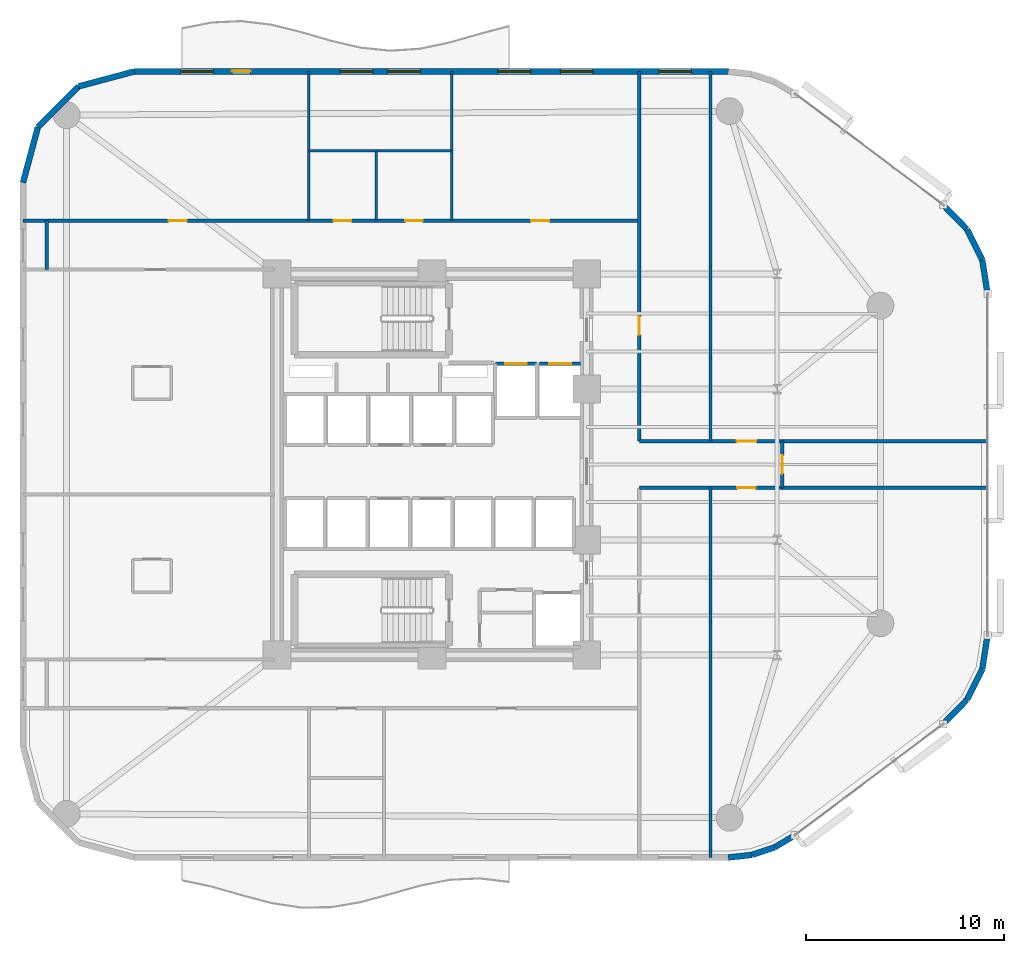
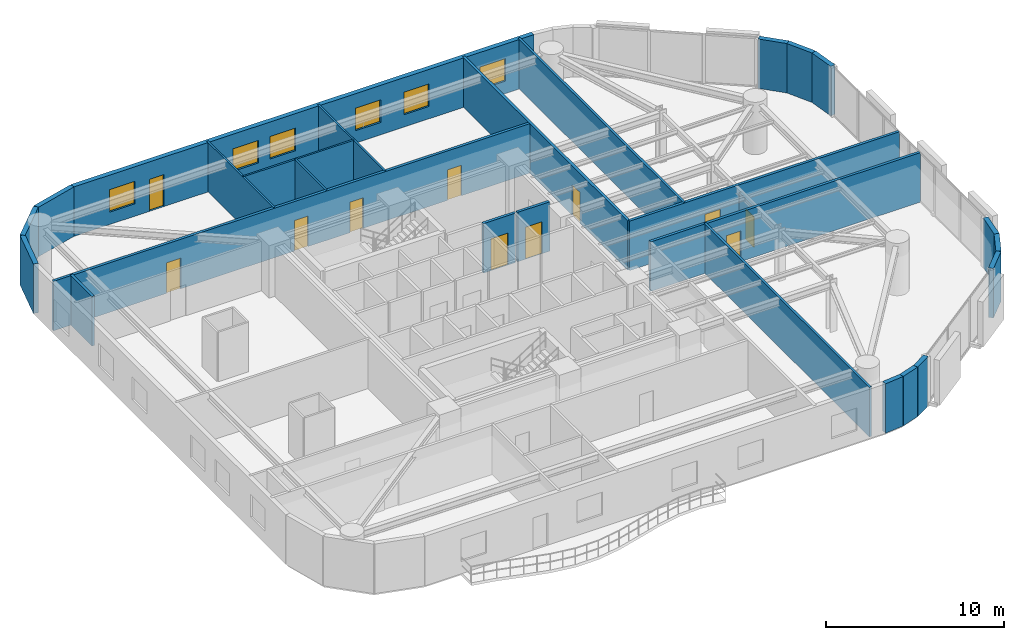
# One storey, part 12 of 15: 27 walls, 11 doors, 6 windows, 17 openings.
"""IFC4 building model written with IfcOpenShell, lengths in metres."""

from ifc_helpers import new_model, si_unit, direction, frame, frame_2d, origin, place, context, subcontext, project, spatial, rectangle, extrude, material, layer, layer_set, type_object, element, fill, save


model = new_model("IFC4")

# Units and contexts
model_context = context("Model", 3, precision=1e-05, world=origin(), true_north=direction((0.0, 1.0)))
body_context = subcontext(model_context, "Body", "Model", "MODEL_VIEW")
ifc_project = project(units=[si_unit("LENGTHUNIT", "METRE"), si_unit("AREAUNIT", "SQUARE_METRE"), si_unit("VOLUMEUNIT", "CUBIC_METRE"), si_unit("PLANEANGLEUNIT", "RADIAN"), si_unit("MASSUNIT", "GRAM", prefix="KILO")], contexts=[model_context])

# Site, building, storey
site_placement = place(None, origin())
site = spatial("IfcSite", under=ifc_project, at=site_placement, CompositionType="ELEMENT")
building_placement = place(site_placement, origin())
building = spatial("IfcBuilding", under=site, at=building_placement, Name="An Khanh Terracotta Commons", CompositionType="ELEMENT")
storey_placement = place(building_placement, frame((0.0, 0.0, 86.300048828125)))
storey = spatial("IfcBuildingStorey", under=building, at=storey_placement, Name="L22", CompositionType="ELEMENT", Elevation=86.300048828125)

# Wall, opening, door
ifc_material_1 = material(Name="Fire-Rated Gypsum Board on Steel Stud", Category="steel")
ifc_layer_1 = layer(ifc_material_1, 0.179931640625, Name="Fire-Rated Gypsum Board on Steel Stud")
ifc_layer_set_1 = layer_set([ifc_layer_1], Name="Fire-Rated Gypsum Board on Steel Stud")
wall_type_1 = type_object("IfcWallType", Name="WALL-CORR-180", PredefinedType="PARTITIONING", material=ifc_layer_set_1)
wall_1_placement = place(storey_placement, frame((32.60009765625, 29.080078125, 0.0), z_axis=(0.0, 0.0, 1.0), x_axis=(1.0, 0.0, 0.0)))
wall_1 = element("IfcWall", 1, at=wall_1_placement, inside=storey, type_object=wall_type_1, Name="L22 Core Wall LSH-L22-FFL-01-N", PredefinedType="PARTITIONING", context=body_context, shape_type="SweptSolid", body=[
    extrude(rectangle(XDim=2.079833984375, YDim=0.179931640625, at=frame_2d((1.0400390625, 0.0))), origin(), (0.0, 0.0, 1.0), 3.39990234375),
])
opening_1_placement = place(wall_1_placement, frame((0.489990234375, 0.0, 0.0)))
opening_1 = element("IfcOpeningElement", 2, at=opening_1_placement, cuts=wall_1, Name="Opening LD-FFL-01-L22", PredefinedType="OPENING", context=body_context, shape_type="SweptSolid", body=[
    extrude(rectangle(XDim=1.10009765625, YDim=2.199951171875, at=frame_2d((0.550048828125, 1.10009765625))), frame((0.0, 0.099853515625, 0.0), z_axis=(0.0, -1.0, 0.0), x_axis=(1.0, 0.0, 0.0)), (0.0, 0.0, 1.0), 0.199951171875),
])
ifc_material_2 = material(Name="Brushed Stainless Steel Fire Landing Door", Category="steel")
door_type_1 = type_object("IfcDoorType", Name="DOOR-LD-FFL-1100", OperationType="NOTDEFINED", PredefinedType="DOOR", material=ifc_material_2)
door_1_placement = place(opening_1_placement, origin())
door_1 = element("IfcDoor", 3, at=door_1_placement, inside=storey, type_object=door_type_1, Name="L22 Lift FFL-01 Sliding Landing Door", OperationType="DOUBLE_DOOR_SLIDING", OverallHeight=2.199951171875, OverallWidth=1.10009765625, PredefinedType="DOOR", context=body_context, shape_type="SweptSolid", body=[
    extrude(rectangle(XDim=1.10009765625, YDim=2.199951171875, at=frame_2d((0.550048828125, 1.10009765625))), frame((0.0, 0.02490234375, 0.0), z_axis=(0.0, -1.0, 0.0), x_axis=(1.0, 0.0, 0.0)), (0.0, 0.0, 1.0), 0.050048828125),
])
fill(opening_1, door_1)

wall_2_placement = place(storey_placement, frame((34.820068359375, 29.080078125, 0.0), z_axis=(0.0, 0.0, 1.0), x_axis=(1.0, 0.0, 0.0)))
wall_2 = element("IfcWall", 4, at=wall_2_placement, inside=storey, type_object=wall_type_1, Name="L22 Core Wall LSH-L22-FFL-02-N", PredefinedType="PARTITIONING", context=body_context, shape_type="SweptSolid", body=[
    extrude(rectangle(XDim=2.079833984375, YDim=0.179931640625, at=frame_2d((1.0400390625, 0.0))), origin(), (0.0, 0.0, 1.0), 3.39990234375),
])
opening_2_placement = place(wall_2_placement, frame((0.489990234375, 0.0, 0.0)))
opening_2 = element("IfcOpeningElement", 5, at=opening_2_placement, cuts=wall_2, Name="Opening LD-FFL-02-L22", PredefinedType="OPENING", context=body_context, shape_type="SweptSolid", body=[
    extrude(rectangle(XDim=1.10009765625, YDim=2.199951171875, at=frame_2d((0.550048828125, 1.10009765625))), frame((0.0, 0.099853515625, 0.0), z_axis=(0.0, -1.0, 0.0), x_axis=(1.0, 0.0, 0.0)), (0.0, 0.0, 1.0), 0.199951171875),
])
door_2_placement = place(opening_2_placement, origin())
door_2 = element("IfcDoor", 6, at=door_2_placement, inside=storey, type_object=door_type_1, Name="L22 Lift FFL-02 Sliding Landing Door", OperationType="DOUBLE_DOOR_SLIDING", OverallHeight=2.199951171875, OverallWidth=1.10009765625, PredefinedType="DOOR", context=body_context, shape_type="SweptSolid", body=[
    extrude(rectangle(XDim=1.10009765625, YDim=2.199951171875, at=frame_2d((0.550048828125, 1.10009765625))), frame((0.0, 0.02490234375, 0.0), z_axis=(0.0, -1.0, 0.0), x_axis=(1.0, 0.0, 0.0)), (0.0, 0.0, 1.0), 0.050048828125),
])
fill(opening_2, door_2)

wall_3_placement = place(storey_placement, frame((39.85009765625, 22.820068359375, 0.0), z_axis=(0.0, 0.0, 1.0), x_axis=(1.0, 0.0, 0.0)))
wall_3 = element("IfcWall", 7, at=wall_3_placement, inside=storey, type_object=wall_type_1, Name="L22 Interior Partition IW-L22-E005", PredefinedType="PARTITIONING", context=body_context, shape_type="SweptSolid", body=[
    extrude(rectangle(XDim=17.5498046875, YDim=0.179931640625, at=frame_2d((8.77490234375, 0.0))), origin(), (0.0, 0.0, 1.0), 3.39990234375),
])
opening_3_placement = place(wall_3_placement, frame((4.93994140625, 0.0, 0.0)))
opening_3 = element("IfcOpeningElement", 8, at=opening_3_placement, cuts=wall_3, Name="Opening D-RM", PredefinedType="OPENING", context=body_context, shape_type="SweptSolid", body=[
    extrude(rectangle(XDim=0.919921875, YDim=2.10009765625, at=frame_2d((0.4599609375, 1.050048828125))), frame((0.0, 0.099853515625, 0.0), z_axis=(0.0, -1.0, 0.0), x_axis=(1.0, 0.0, 0.0)), (0.0, 0.0, 1.0), 0.199951171875),
])
ifc_material_3 = material(Name="Engineered Hardwood Timber Leaf", Category="wood")
door_type_2 = type_object("IfcDoorType", Name="DOOR-INT-920", OperationType="NOTDEFINED", PredefinedType="DOOR", material=ifc_material_3)
door_3_placement = place(opening_3_placement, origin())
door_3 = element("IfcDoor", 9, at=door_3_placement, inside=storey, type_object=door_type_2, Name="L22 T5SE Riverfront Reading Hall Door", OperationType="SINGLE_SWING_RIGHT", OverallHeight=2.10009765625, OverallWidth=0.919921875, PredefinedType="DOOR", context=body_context, shape_type="SweptSolid", body=[
    extrude(rectangle(XDim=0.919921875, YDim=2.10009765625, at=frame_2d((0.4599609375, 1.050048828125))), frame((0.0, 0.02490234375, 0.0), z_axis=(0.0, -1.0, 0.0), x_axis=(1.0, 0.0, 0.0)), (0.0, 0.0, 1.0), 0.050048828125),
])
fill(opening_3, door_3)

wall_4_placement = place(storey_placement, frame((39.85009765625, 25.179931640625, 0.0), z_axis=(0.0, 0.0, 1.0), x_axis=(1.0, 0.0, 0.0)))
wall_4 = element("IfcWall", 10, at=wall_4_placement, inside=storey, type_object=wall_type_1, Name="L22 Interior Partition IW-L22-E006", PredefinedType="PARTITIONING", context=body_context, shape_type="SweptSolid", body=[
    extrude(rectangle(XDim=17.5498046875, YDim=0.179931640625, at=frame_2d((8.77490234375, 0.0))), origin(), (0.0, 0.0, 1.0), 3.39990234375),
])
opening_4_placement = place(wall_4_placement, frame((4.89990234375, 0.0, 0.0)))
opening_4 = element("IfcOpeningElement", 11, at=opening_4_placement, cuts=wall_4, Name="Opening D-UN", PredefinedType="OPENING", context=body_context, shape_type="SweptSolid", body=[
    extrude(rectangle(XDim=1.0, YDim=2.14990234375, at=frame_2d((0.5, 1.074951171875))), frame((0.0, 0.099853515625, 0.0), z_axis=(0.0, -1.0, 0.0), x_axis=(1.0, 0.0, 0.0)), (0.0, 0.0, 1.0), 0.199951171875),
])
ifc_material_4 = material(Name="Solid-Core Hardwood Acoustic Fire Door", Category="wood")
door_type_3 = type_object("IfcDoorType", Name="DOOR-UNIT-1000", OperationType="NOTDEFINED", PredefinedType="DOOR", material=ifc_material_4)
door_4_placement = place(opening_4_placement, origin())
door_4 = element("IfcDoor", 12, at=door_4_placement, inside=storey, type_object=door_type_3, Name="L22 T5NE Yoga Studio Door", OperationType="SINGLE_SWING_RIGHT", OverallHeight=2.14990234375, OverallWidth=1.0, PredefinedType="DOOR", context=body_context, shape_type="SweptSolid", body=[
    extrude(rectangle(XDim=1.0, YDim=2.14990234375, at=frame_2d((0.5, 1.074951171875))), frame((0.0, 0.02490234375, 0.0), z_axis=(0.0, -1.0, 0.0), x_axis=(1.0, 0.0, 0.0)), (0.0, 0.0, 1.0), 0.050048828125),
])
fill(opening_4, door_4)

# Wall, openings, doors
wall_5_placement = place(storey_placement, frame((8.800048828125, 36.280029296875, 0.0), z_axis=(0.0, 0.0, 1.0), x_axis=(1.0, 0.0, 0.0)))
wall_5 = element("IfcWall", 13, at=wall_5_placement, inside=storey, type_object=wall_type_1, Name="L22 Interior Partition IW-L22-E008", PredefinedType="PARTITIONING", context=body_context, shape_type="SweptSolid", body=[
    extrude(rectangle(XDim=31.050048828125, YDim=0.179931640625, at=frame_2d((15.52490234375, 0.0))), origin(), (0.0, 0.0, 1.0), 3.39990234375),
])
opening_5_placement = place(wall_5_placement, frame((15.64990234375, 0.0, 0.0)))
opening_5 = element("IfcOpeningElement", 14, at=opening_5_placement, cuts=wall_5, Name="Opening D-WC", PredefinedType="OPENING", context=body_context, shape_type="SweptSolid", body=[
    extrude(rectangle(XDim=0.89990234375, YDim=2.10009765625, at=frame_2d((0.449951171875, 1.050048828125))), frame((0.0, 0.099853515625, 0.0), z_axis=(0.0, -1.0, 0.0), x_axis=(1.0, 0.0, 0.0)), (0.0, 0.0, 1.0), 0.199951171875),
])
opening_6_placement = place(wall_5_placement, frame((19.27001953125, 0.0, 0.0)))
opening_6 = element("IfcOpeningElement", 15, at=opening_6_placement, cuts=wall_5, Name="Opening D-ENS", PredefinedType="OPENING", context=body_context, shape_type="SweptSolid", body=[
    extrude(rectangle(XDim=0.860107421875, YDim=2.10009765625, at=frame_2d((0.43017578125, 1.050048828125))), frame((0.0, 0.099853515625, 0.0), z_axis=(0.0, -1.0, 0.0), x_axis=(1.0, 0.0, 0.0)), (0.0, 0.0, 1.0), 0.199951171875),
])
opening_7_placement = place(wall_5_placement, frame((7.340087890625, 0.0, 0.0)))
opening_7 = element("IfcOpeningElement", 16, at=opening_7_placement, cuts=wall_5, Name="Opening D-RM", PredefinedType="OPENING", context=body_context, shape_type="SweptSolid", body=[
    extrude(rectangle(XDim=0.919921875, YDim=2.10009765625, at=frame_2d((0.4599609375, 1.050048828125))), frame((0.0, 0.099853515625, 0.0), z_axis=(0.0, -1.0, 0.0), x_axis=(1.0, 0.0, 0.0)), (0.0, 0.0, 1.0), 0.199951171875),
])
opening_8_placement = place(wall_5_placement, frame((25.60498046875, 0.0, 0.0)))
opening_8 = element("IfcOpeningElement", 17, at=opening_8_placement, cuts=wall_5, Name="Opening D-RM", PredefinedType="OPENING", context=body_context, shape_type="SweptSolid", body=[
    extrude(rectangle(XDim=0.919921875, YDim=2.10009765625, at=frame_2d((0.4599609375, 1.050048828125))), frame((0.0, 0.099853515625, 0.0), z_axis=(0.0, -1.0, 0.0), x_axis=(1.0, 0.0, 0.0)), (0.0, 0.0, 1.0), 0.199951171875),
])
ifc_material_5 = material(Name="Moisture-Resistant Hardwood Timber Leaf", Category="wood")
door_type_4 = type_object("IfcDoorType", Name="DOOR-BATH-860", OperationType="NOTDEFINED", PredefinedType="DOOR", material=ifc_material_5)
door_5_placement = place(opening_6_placement, origin())
door_5 = element("IfcDoor", 18, at=door_5_placement, inside=storey, type_object=door_type_4, Name="L22 SHW Resident Shared Shower and Washroom Door", OperationType="SINGLE_SWING_RIGHT", OverallHeight=2.10009765625, OverallWidth=0.860107421875, PredefinedType="DOOR", context=body_context, shape_type="SweptSolid", body=[
    extrude(rectangle(XDim=0.860107421875, YDim=2.10009765625, at=frame_2d((0.43017578125, 1.050048828125))), frame((0.0, 0.02490234375, 0.0), z_axis=(0.0, -1.0, 0.0), x_axis=(1.0, 0.0, 0.0)), (0.0, 0.0, 1.0), 0.050048828125),
])
fill(opening_6, door_5)
door_6_placement = place(opening_7_placement, origin())
door_6 = element("IfcDoor", 19, at=door_6_placement, inside=storey, type_object=door_type_2, Name="L22 NW1 Communal Kitchen and Dining Door", OperationType="SINGLE_SWING_LEFT", OverallHeight=2.10009765625, OverallWidth=0.919921875, PredefinedType="DOOR", context=body_context, shape_type="SweptSolid", body=[
    extrude(rectangle(XDim=0.919921875, YDim=2.10009765625, at=frame_2d((0.4599609375, 1.050048828125))), frame((0.0, 0.02490234375, 0.0), z_axis=(0.0, -1.0, 0.0), x_axis=(1.0, 0.0, 0.0)), (0.0, 0.0, 1.0), 0.050048828125),
])
fill(opening_7, door_6)
door_7_placement = place(opening_8_placement, origin())
door_7 = element("IfcDoor", 20, at=door_7_placement, inside=storey, type_object=door_type_2, Name="L22 NWE Communal Kitchen and Dining Door", OperationType="SINGLE_SWING_RIGHT", OverallHeight=2.10009765625, OverallWidth=0.919921875, PredefinedType="DOOR", context=body_context, shape_type="SweptSolid", body=[
    extrude(rectangle(XDim=0.919921875, YDim=2.10009765625, at=frame_2d((0.4599609375, 1.050048828125))), frame((0.0, 0.02490234375, 0.0), z_axis=(0.0, -1.0, 0.0), x_axis=(1.0, 0.0, 0.0)), (0.0, 0.0, 1.0), 0.050048828125),
])
fill(opening_8, door_7)
ifc_material_6 = material(Name="Laminate Moisture-Resistant Timber Leaf", Category="wood")
door_type_5 = type_object("IfcDoorType", Name="DOOR-WC-900", OperationType="NOTDEFINED", PredefinedType="DOOR", material=ifc_material_6)
door_8_placement = place(opening_5_placement, origin())
door_8 = element("IfcDoor", 21, at=door_8_placement, inside=storey, type_object=door_type_5, Name="L22 AWC Accessible WC Door", OperationType="SINGLE_SWING_LEFT", OverallHeight=2.10009765625, OverallWidth=0.89990234375, PredefinedType="DOOR", context=body_context, shape_type="SweptSolid", body=[
    extrude(rectangle(XDim=0.89990234375, YDim=2.10009765625, at=frame_2d((0.449951171875, 1.050048828125))), frame((0.0, 0.02490234375, 0.0), z_axis=(0.0, -1.0, 0.0), x_axis=(1.0, 0.0, 0.0)), (0.0, 0.0, 1.0), 0.050048828125),
])
fill(opening_5, door_8)

# Wall
wall_6_placement = place(storey_placement, frame((10.0, 33.820068359375, 0.0), z_axis=(0.0, 0.0, 1.0), x_axis=(0.0, 1.0, 0.0)))
element("IfcWall", 22, at=wall_6_placement, inside=storey, type_object=wall_type_1, Name="L22 Interior Partition IW-L22-E011", PredefinedType="PARTITIONING", context=body_context, shape_type="SweptSolid", body=[
    extrude(rectangle(XDim=2.4599609375, YDim=0.179931640625, at=frame_2d((1.22998046875, 0.0))), origin(), (0.0, 0.0, 1.0), 3.39990234375),
])

# Wall, opening, door
wall_7_placement = place(storey_placement, frame((39.85009765625, 25.179931640625, 0.0), z_axis=(0.0, 0.0, 1.0), x_axis=(0.0, 1.0, 0.0)))
wall_7 = element("IfcWall", 23, at=wall_7_placement, inside=storey, type_object=wall_type_1, Name="L22 Interior Partition IW-L22-E018", PredefinedType="PARTITIONING", context=body_context, shape_type="SweptSolid", body=[
    extrude(rectangle(XDim=18.6201171875, YDim=0.179931640625, at=frame_2d((9.31005859375, 0.0))), origin(), (0.0, 0.0, 1.0), 3.39990234375),
])
opening_9_placement = place(wall_7_placement, frame((5.35009765625, 0.0, 0.0)))
opening_9 = element("IfcOpeningElement", 24, at=opening_9_placement, cuts=wall_7, Name="Opening D-RM", PredefinedType="OPENING", context=body_context, shape_type="SweptSolid", body=[
    extrude(rectangle(XDim=0.919921875, YDim=2.10009765625, at=frame_2d((0.4599609375, 1.050048828125))), frame((0.0, 0.099853515625, 0.0), z_axis=(0.0, -1.0, 0.0), x_axis=(1.0, 0.0, 0.0)), (0.0, 0.0, 1.0), 0.199951171875),
])
door_9_placement = place(opening_9_placement, origin())
door_9 = element("IfcDoor", 25, at=door_9_placement, inside=storey, type_object=door_type_2, Name="L22 T5NW Student Reading Library Door", OperationType="SINGLE_SWING_RIGHT", OverallHeight=2.10009765625, OverallWidth=0.919921875, PredefinedType="DOOR", context=body_context, shape_type="SweptSolid", body=[
    extrude(rectangle(XDim=0.919921875, YDim=2.10009765625, at=frame_2d((0.4599609375, 1.050048828125))), frame((0.0, 0.02490234375, 0.0), z_axis=(0.0, -1.0, 0.0), x_axis=(1.0, 0.0, 0.0)), (0.0, 0.0, 1.0), 0.050048828125),
])
fill(opening_9, door_9)

wall_8_placement = place(storey_placement, frame((47.050048828125, 22.820068359375, 0.0), z_axis=(0.0, 0.0, 1.0), x_axis=(0.0, 1.0, 0.0)))
wall_8 = element("IfcWall", 26, at=wall_8_placement, inside=storey, type_object=wall_type_1, Name="L22 Interior Partition IW-L22-E021", PredefinedType="PARTITIONING", context=body_context, shape_type="SweptSolid", body=[
    extrude(rectangle(XDim=2.35986328125, YDim=0.179931640625, at=frame_2d((1.179931640625, 0.0))), origin(), (0.0, 0.0, 1.0), 2.8818359375),
])
opening_10_placement = place(wall_8_placement, frame((0.719970703125, 0.0, 0.0)))
opening_10 = element("IfcOpeningElement", 27, at=opening_10_placement, cuts=wall_8, Name="Opening D-RM", PredefinedType="OPENING", context=body_context, shape_type="SweptSolid", body=[
    extrude(rectangle(XDim=0.919921875, YDim=2.10009765625, at=frame_2d((0.4599609375, 1.050048828125))), frame((0.0, 0.099853515625, 0.0), z_axis=(0.0, -1.0, 0.0), x_axis=(1.0, 0.0, 0.0)), (0.0, 0.0, 1.0), 0.199951171875),
])
door_10_placement = place(opening_10_placement, origin())
door_10 = element("IfcDoor", 28, at=door_10_placement, inside=storey, type_object=door_type_2, Name="L22 T5ME Academic Seminar Room Door", OperationType="SINGLE_SWING_LEFT", OverallHeight=2.10009765625, OverallWidth=0.919921875, PredefinedType="DOOR", context=body_context, shape_type="SweptSolid", body=[
    extrude(rectangle(XDim=0.919921875, YDim=2.10009765625, at=frame_2d((0.4599609375, 1.050048828125))), frame((0.0, 0.02490234375, 0.0), z_axis=(0.0, -1.0, 0.0), x_axis=(1.0, 0.0, 0.0)), (0.0, 0.0, 1.0), 0.050048828125),
])
fill(opening_10, door_10)

# Walls
ifc_material_7 = material(Name="Precast concrete C40/50", Category="concrete")
ifc_layer_2 = layer(ifc_material_7, 0.300048828125, Name="Precast concrete C40/50")
ifc_layer_set_2 = layer_set([ifc_layer_2], Name="Precast concrete C40/50")
wall_type_2 = type_object("IfcWallType", Name="WALL-EXT-300", PredefinedType="SOLIDWALL", material=ifc_layer_set_2)
wall_9_placement = place(storey_placement, frame((44.3330078125, 4.199951171875, 0.0), z_axis=(0.0, 0.0, 1.0), x_axis=(0.994289103787, 0.106720092254, 0.0)))
element("IfcWall", 29, at=wall_9_placement, inside=storey, type_object=wall_type_2, Name="L22 Insulated Terracotta Exterior Wall 5", PredefinedType="SOLIDWALL", context=body_context, shape_type="SweptSolid", body=[
    extrude(rectangle(XDim=1.19873046875, YDim=0.300048828125, at=frame_2d((0.599365234375, 0.0))), origin(), (0.0, 0.0, 1.0), 3.39990234375),
])
wall_10_placement = place(storey_placement, frame((45.52490234375, 4.327880859375, 0.0), z_axis=(0.0, 0.0, 1.0), x_axis=(0.948744332129, 0.316044604847, 0.0)))
element("IfcWall", 30, at=wall_10_placement, inside=storey, type_object=wall_type_2, Name="L22 Insulated Terracotta Exterior Wall 6", PredefinedType="SOLIDWALL", context=body_context, shape_type="SweptSolid", body=[
    extrude(rectangle(XDim=1.19970703125, YDim=0.300048828125, at=frame_2d((0.599853515625, 0.0))), origin(), (0.0, 0.0, 1.0), 3.39990234375),
])
wall_11_placement = place(storey_placement, frame((46.6630859375, 4.70703125, 0.0), z_axis=(0.0, 0.0, 1.0), x_axis=(0.859320591642, 0.511437308749, 0.0)))
element("IfcWall", 31, at=wall_11_placement, inside=storey, type_object=wall_type_2, Name="L22 Insulated Terracotta Exterior Wall 7", PredefinedType="SOLIDWALL", context=body_context, shape_type="SweptSolid", body=[
    extrude(rectangle(XDim=1.19873046875, YDim=0.300048828125, at=frame_2d((0.599365234375, 0.0))), origin(), (0.0, 0.0, 1.0), 3.39990234375),
])
for number, where, z_axis, x_axis, name in (
    (32, (55.159912109375, 10.919921875, 0.0), (0.0, 0.0, 1.0), (0.6983450845, 0.715761233201, 0.0), "L22 Insulated Terracotta Exterior Wall 9"),
    (33, (56.364013671875, 12.154052734375, 0.0), (0.0, 0.0, 1.0), (0.4472135955, 0.894427191, 0.0), "L22 Insulated Terracotta Exterior Wall 10"),
):
    element("IfcWall", number, at=place(storey_placement, frame(where, z_axis=z_axis, x_axis=x_axis)), inside=storey, type_object=wall_type_2, Name=name, PredefinedType="SOLIDWALL", context=body_context, shape_type="SweptSolid", body=[
        extrude(rectangle(XDim=1.72412109375, YDim=0.300048828125, at=frame_2d((0.862060546875, 0.0))), origin(), (0.0, 0.0, 1.0), 3.39990234375),
    ])
for number, where, z_axis, x_axis, name in (
    (34, (57.135009765625, 13.696044921875, 0.0), (0.0, 0.0, 1.0), (0.153620989032, 0.988129845581, 0.0), "L22 Insulated Terracotta Exterior Wall 11"),
    (35, (57.39990234375, 32.60009765625, 0.0), (0.0, 0.0, 1.0), (-0.153620989032, 0.988129845581, 0.0), "L22 Insulated Terracotta Exterior Wall 13"),
):
    element("IfcWall", number, at=place(storey_placement, frame(where, z_axis=z_axis, x_axis=x_axis)), inside=storey, type_object=wall_type_2, Name=name, PredefinedType="SOLIDWALL", context=body_context, shape_type="SweptSolid", body=[
        extrude(rectangle(XDim=1.724365234375, YDim=0.300048828125, at=frame_2d((0.8623046875, 0.0))), origin(), (0.0, 0.0, 1.0), 3.39990234375),
    ])
for number, where, z_axis, x_axis, name in (
    (36, (57.135009765625, 34.303955078125, 0.0), (0.0, 0.0, 1.0), (-0.4472135955, 0.894427191, 0.0), "L22 Insulated Terracotta Exterior Wall 14"),
    (37, (56.364013671875, 35.845947265625, 0.0), (0.0, 0.0, 1.0), (-0.6983450845, 0.715761233201, 0.0), "L22 Insulated Terracotta Exterior Wall 15"),
):
    element("IfcWall", number, at=place(storey_placement, frame(where, z_axis=z_axis, x_axis=x_axis)), inside=storey, type_object=wall_type_2, Name=name, PredefinedType="SOLIDWALL", context=body_context, shape_type="SweptSolid", body=[
        extrude(rectangle(XDim=1.72412109375, YDim=0.300048828125, at=frame_2d((0.862060546875, 0.0))), origin(), (0.0, 0.0, 1.0), 3.39990234375),
    ])

# Wall, openings, door, windows
wall_12_placement = place(storey_placement, frame((44.3330078125, 43.800048828125, 0.0), z_axis=(0.0, 0.0, 1.0), x_axis=(-1.0, 0.0, 0.0)))
wall_12 = element("IfcWall", 38, at=wall_12_placement, inside=storey, type_object=wall_type_2, Name="L22 Insulated Terracotta Exterior Wall 20", PredefinedType="SOLIDWALL", context=body_context, shape_type="SweptSolid", body=[
    extrude(rectangle(XDim=29.93310546875, YDim=0.300048828125, at=frame_2d((14.966552734375, 0.0))), origin(), (0.0, 0.0, 1.0), 3.39990234375),
])
opening_11_placement = place(wall_12_placement, frame((24.05810546875, 0.0, 0.0)))
opening_11 = element("IfcOpeningElement", 39, at=opening_11_placement, cuts=wall_12, Name="Opening D-BAL", PredefinedType="OPENING", context=body_context, shape_type="SweptSolid", body=[
    extrude(rectangle(XDim=0.949951171875, YDim=2.199951171875, at=frame_2d((0.47509765625, 1.10009765625))), frame((0.0, 0.159912109375, 0.0), z_axis=(0.0, -1.0, 0.0), x_axis=(1.0, 0.0, 0.0)), (0.0, 0.0, 1.0), 0.320068359375),
])
opening_12_placement = place(wall_12_placement, frame((1.85791015625, 0.0, 0.85009765625)))
opening_12 = element("IfcOpeningElement", 40, at=opening_12_placement, cuts=wall_12, Name="Opening W-02", PredefinedType="OPENING", context=body_context, shape_type="SweptSolid", body=[
    extrude(rectangle(XDim=1.64990234375, YDim=1.550048828125, at=frame_2d((0.824951171875, 0.77490234375))), frame((0.0, 0.159912109375, 0.0), z_axis=(0.0, -1.0, 0.0), x_axis=(1.0, 0.0, 0.0)), (0.0, 0.0, 1.0), 0.320068359375),
])
opening_13_placement = place(wall_12_placement, frame((6.80810546875, 0.0, 0.85009765625)))
opening_13 = element("IfcOpeningElement", 41, at=opening_13_placement, cuts=wall_12, Name="Opening W-02", PredefinedType="OPENING", context=body_context, shape_type="SweptSolid", body=[
    extrude(rectangle(XDim=1.64990234375, YDim=1.550048828125, at=frame_2d((0.824951171875, 0.77490234375))), frame((0.0, 0.159912109375, 0.0), z_axis=(0.0, -1.0, 0.0), x_axis=(1.0, 0.0, 0.0)), (0.0, 0.0, 1.0), 0.320068359375),
])
opening_14_placement = place(wall_12_placement, frame((9.9580078125, 0.0, 0.85009765625)))
opening_14 = element("IfcOpeningElement", 42, at=opening_14_placement, cuts=wall_12, Name="Opening W-02", PredefinedType="OPENING", context=body_context, shape_type="SweptSolid", body=[
    extrude(rectangle(XDim=1.64990234375, YDim=1.550048828125, at=frame_2d((0.824951171875, 0.77490234375))), frame((0.0, 0.159912109375, 0.0), z_axis=(0.0, -1.0, 0.0), x_axis=(1.0, 0.0, 0.0)), (0.0, 0.0, 1.0), 0.320068359375),
])
opening_15_placement = place(wall_12_placement, frame((15.508056640625, 0.0, 0.85009765625)))
opening_15 = element("IfcOpeningElement", 43, at=opening_15_placement, cuts=wall_12, Name="Opening W-02", PredefinedType="OPENING", context=body_context, shape_type="SweptSolid", body=[
    extrude(rectangle(XDim=1.64990234375, YDim=1.550048828125, at=frame_2d((0.824951171875, 0.77490234375))), frame((0.0, 0.159912109375, 0.0), z_axis=(0.0, -1.0, 0.0), x_axis=(1.0, 0.0, 0.0)), (0.0, 0.0, 1.0), 0.320068359375),
])
opening_16_placement = place(wall_12_placement, frame((17.907958984375, 0.0, 0.85009765625)))
opening_16 = element("IfcOpeningElement", 44, at=opening_16_placement, cuts=wall_12, Name="Opening W-02", PredefinedType="OPENING", context=body_context, shape_type="SweptSolid", body=[
    extrude(rectangle(XDim=1.64990234375, YDim=1.550048828125, at=frame_2d((0.824951171875, 0.77490234375))), frame((0.0, 0.159912109375, 0.0), z_axis=(0.0, -1.0, 0.0), x_axis=(1.0, 0.0, 0.0)), (0.0, 0.0, 1.0), 0.320068359375),
])
opening_17_placement = place(wall_12_placement, frame((25.94091796875, 0.0, 0.85009765625)))
opening_17 = element("IfcOpeningElement", 45, at=opening_17_placement, cuts=wall_12, Name="Opening W-02", PredefinedType="OPENING", context=body_context, shape_type="SweptSolid", body=[
    extrude(rectangle(XDim=1.64990234375, YDim=1.550048828125, at=frame_2d((0.824951171875, 0.77490234375))), frame((0.0, 0.159912109375, 0.0), z_axis=(0.0, -1.0, 0.0), x_axis=(1.0, 0.0, 0.0)), (0.0, 0.0, 1.0), 0.320068359375),
])
ifc_material_8 = material(Name="Thermally Broken Aluminium and Low-E Glass", Category="aluminium")
door_type_6 = type_object("IfcDoorType", Name="DOOR-BALC-950", OperationType="NOTDEFINED", PredefinedType="DOOR", material=ifc_material_8)
door_11_placement = place(opening_11_placement, origin())
door_11 = element("IfcDoor", 46, at=door_11_placement, inside=storey, type_object=door_type_6, Name="L22 N Wave Balcony Glazed Door", OperationType="SINGLE_SWING_RIGHT", OverallHeight=2.199951171875, OverallWidth=0.949951171875, PredefinedType="DOOR", context=body_context, shape_type="SweptSolid", body=[
    extrude(rectangle(XDim=0.949951171875, YDim=2.199951171875, at=frame_2d((0.47509765625, 1.10009765625))), frame((0.0, 0.02490234375, 0.0), z_axis=(0.0, -1.0, 0.0), x_axis=(1.0, 0.0, 0.0)), (0.0, 0.0, 1.0), 0.050048828125),
])
fill(opening_11, door_11)
window_type = type_object("IfcWindowType", Name="WIN-Z2-1650x1550", PartitioningType="DOUBLE_PANEL_VERTICAL", PredefinedType="WINDOW", material=ifc_material_8)
window_1_placement = place(opening_12_placement, origin())
window_1 = element("IfcWindow", 47, at=window_1_placement, inside=storey, type_object=window_type, Name="L22 Operable Casement Window 20.1", OverallHeight=1.550048828125, OverallWidth=1.64990234375, PartitioningType="DOUBLE_PANEL_VERTICAL", PredefinedType="WINDOW", context=body_context, shape_type="SweptSolid", body=[
    extrude(rectangle(XDim=1.64990234375, YDim=1.550048828125, at=frame_2d((0.824951171875, 0.77490234375))), frame((0.0, 0.030029296875, 0.0), z_axis=(0.0, -1.0, 0.0), x_axis=(1.0, 0.0, 0.0)), (0.0, 0.0, 1.0), 0.06005859375),
])
fill(opening_12, window_1)
window_2_placement = place(opening_13_placement, origin())
window_2 = element("IfcWindow", 48, at=window_2_placement, inside=storey, type_object=window_type, Name="L22 Operable Casement Window 20.2", OverallHeight=1.550048828125, OverallWidth=1.64990234375, PartitioningType="DOUBLE_PANEL_VERTICAL", PredefinedType="WINDOW", context=body_context, shape_type="SweptSolid", body=[
    extrude(rectangle(XDim=1.64990234375, YDim=1.550048828125, at=frame_2d((0.824951171875, 0.77490234375))), frame((0.0, 0.030029296875, 0.0), z_axis=(0.0, -1.0, 0.0), x_axis=(1.0, 0.0, 0.0)), (0.0, 0.0, 1.0), 0.06005859375),
])
fill(opening_13, window_2)
window_3_placement = place(opening_14_placement, origin())
window_3 = element("IfcWindow", 49, at=window_3_placement, inside=storey, type_object=window_type, Name="L22 Operable Casement Window 20.3", OverallHeight=1.550048828125, OverallWidth=1.64990234375, PartitioningType="DOUBLE_PANEL_VERTICAL", PredefinedType="WINDOW", context=body_context, shape_type="SweptSolid", body=[
    extrude(rectangle(XDim=1.64990234375, YDim=1.550048828125, at=frame_2d((0.824951171875, 0.77490234375))), frame((0.0, 0.030029296875, 0.0), z_axis=(0.0, -1.0, 0.0), x_axis=(1.0, 0.0, 0.0)), (0.0, 0.0, 1.0), 0.06005859375),
])
fill(opening_14, window_3)
window_4_placement = place(opening_15_placement, origin())
window_4 = element("IfcWindow", 50, at=window_4_placement, inside=storey, type_object=window_type, Name="L22 Operable Casement Window 20.4", OverallHeight=1.550048828125, OverallWidth=1.64990234375, PartitioningType="DOUBLE_PANEL_VERTICAL", PredefinedType="WINDOW", context=body_context, shape_type="SweptSolid", body=[
    extrude(rectangle(XDim=1.64990234375, YDim=1.550048828125, at=frame_2d((0.824951171875, 0.77490234375))), frame((0.0, 0.030029296875, 0.0), z_axis=(0.0, -1.0, 0.0), x_axis=(1.0, 0.0, 0.0)), (0.0, 0.0, 1.0), 0.06005859375),
])
fill(opening_15, window_4)
window_5_placement = place(opening_16_placement, origin())
window_5 = element("IfcWindow", 51, at=window_5_placement, inside=storey, type_object=window_type, Name="L22 Operable Casement Window 20.5", OverallHeight=1.550048828125, OverallWidth=1.64990234375, PartitioningType="DOUBLE_PANEL_VERTICAL", PredefinedType="WINDOW", context=body_context, shape_type="SweptSolid", body=[
    extrude(rectangle(XDim=1.64990234375, YDim=1.550048828125, at=frame_2d((0.824951171875, 0.77490234375))), frame((0.0, 0.030029296875, 0.0), z_axis=(0.0, -1.0, 0.0), x_axis=(1.0, 0.0, 0.0)), (0.0, 0.0, 1.0), 0.06005859375),
])
fill(opening_16, window_5)
window_6_placement = place(opening_17_placement, origin())
window_6 = element("IfcWindow", 52, at=window_6_placement, inside=storey, type_object=window_type, Name="L22 Operable Casement Window 20.6", OverallHeight=1.550048828125, OverallWidth=1.64990234375, PartitioningType="DOUBLE_PANEL_VERTICAL", PredefinedType="WINDOW", context=body_context, shape_type="SweptSolid", body=[
    extrude(rectangle(XDim=1.64990234375, YDim=1.550048828125, at=frame_2d((0.824951171875, 0.77490234375))), frame((0.0, 0.030029296875, 0.0), z_axis=(0.0, -1.0, 0.0), x_axis=(1.0, 0.0, 0.0)), (0.0, 0.0, 1.0), 0.06005859375),
])
fill(opening_17, window_6)

# Walls
wall_13_placement = place(storey_placement, frame((14.39990234375, 43.800048828125, 0.0), z_axis=(0.0, 0.0, 1.0), x_axis=(-0.965943540406, -0.258752926066, 0.0)))
element("IfcWall", 53, at=wall_13_placement, inside=storey, type_object=wall_type_2, Name="L22 Insulated Terracotta Exterior Wall 21", PredefinedType="SOLIDWALL", context=body_context, shape_type="SweptSolid", body=[
    extrude(rectangle(XDim=2.8984375, YDim=0.300048828125, at=frame_2d((1.44921875, 0.0))), origin(), (0.0, 0.0, 1.0), 3.39990234375),
])
wall_14_placement = place(storey_placement, frame((11.60009765625, 43.050048828125, 0.0), z_axis=(0.0, 0.0, 1.0), x_axis=(-0.707106781187, -0.707106781187, 0.0)))
element("IfcWall", 54, at=wall_14_placement, inside=storey, type_object=wall_type_2, Name="L22 Insulated Terracotta Exterior Wall 22", PredefinedType="SOLIDWALL", context=body_context, shape_type="SweptSolid", body=[
    extrude(rectangle(XDim=2.899169921875, YDim=0.300048828125, at=frame_2d((1.44970703125, 0.0))), origin(), (0.0, 0.0, 1.0), 3.39990234375),
])
wall_15_placement = place(storey_placement, frame((9.550048828125, 41.0, 0.0), z_axis=(0.0, 0.0, 1.0), x_axis=(-0.258731875344, -0.96594917914, 0.0)))
element("IfcWall", 55, at=wall_15_placement, inside=storey, type_object=wall_type_2, Name="L22 Insulated Terracotta Exterior Wall 23", PredefinedType="SOLIDWALL", context=body_context, shape_type="SweptSolid", body=[
    extrude(rectangle(XDim=2.898681640625, YDim=0.300048828125, at=frame_2d((1.44921875, 0.0))), origin(), (0.0, 0.0, 1.0), 3.39990234375),
])
ifc_material_9 = material(Name="Acoustic Gypsum Board Partition")
ifc_layer_3 = layer(ifc_material_9, 0.14990234375, Name="Acoustic Gypsum Board Partition")
ifc_layer_set_3 = layer_set([ifc_layer_3], Name="Acoustic Gypsum Board Partition")
wall_type_3 = type_object("IfcWallType", Name="WALL-PART-150", PredefinedType="PARTITIONING", material=ifc_layer_set_3)
for number, where, z_axis, x_axis, name in (
    (56, (43.449951171875, 4.199951171875, 0.0), (0.0, 0.0, 1.0), (0.0, 1.0, 0.0), "L22 Interior Partition IW-L22-E019"),
    (57, (43.449951171875, 25.179931640625, 0.0), (0.0, 0.0, 1.0), (0.0, 1.0, 0.0), "L22 Interior Partition IW-L22-E020"),
):
    element("IfcWall", number, at=place(storey_placement, frame(where, z_axis=z_axis, x_axis=x_axis)), inside=storey, type_object=wall_type_3, Name=name, PredefinedType="PARTITIONING", context=body_context, shape_type="SweptSolid", body=[
        extrude(rectangle(XDim=18.6201171875, YDim=0.14990234375, at=frame_2d((9.31005859375, 0.0))), origin(), (0.0, 0.0, 1.0), 3.39990234375),
    ])
ifc_material_10 = material(Name="Moisture-Resistant Cement Board Partition")
ifc_layer_4 = layer(ifc_material_10, 0.1201171875, Name="Moisture-Resistant Cement Board Partition")
ifc_layer_set_4 = layer_set([ifc_layer_4], Name="Moisture-Resistant Cement Board Partition")
wall_type_4 = type_object("IfcWallType", Name="WALL-WET-120", PredefinedType="PARTITIONING", material=ifc_layer_set_4)
wall_16_placement = place(storey_placement, frame((23.199951171875, 39.800048828125, 0.0), z_axis=(0.0, 0.0, 1.0), x_axis=(1.0, 0.0, 0.0)))
element("IfcWall", 58, at=wall_16_placement, inside=storey, type_object=wall_type_4, Name="L22 Interior Partition IW-L22-E009", PredefinedType="PARTITIONING", context=body_context, shape_type="SweptSolid", body=[
    extrude(rectangle(XDim=7.199951171875, YDim=0.1201171875, at=frame_2d((3.60009765625, 0.0))), origin(), (0.0, 0.0, 1.0), 3.39990234375),
])
wall_17_placement = place(storey_placement, frame((23.199951171875, 36.280029296875, 0.0), z_axis=(0.0, 0.0, 1.0), x_axis=(0.0, 1.0, 0.0)))
element("IfcWall", 59, at=wall_17_placement, inside=storey, type_object=wall_type_4, Name="L22 Interior Partition IW-L22-E013", PredefinedType="PARTITIONING", context=body_context, shape_type="SweptSolid", body=[
    extrude(rectangle(XDim=7.52001953125, YDim=0.1201171875, at=frame_2d((3.760009765625, 0.0))), origin(), (0.0, 0.0, 1.0), 3.39990234375),
])
wall_18_placement = place(storey_placement, frame((26.60009765625, 36.280029296875, 0.0), z_axis=(0.0, 0.0, 1.0), x_axis=(0.0, 1.0, 0.0)))
element("IfcWall", 60, at=wall_18_placement, inside=storey, type_object=wall_type_4, Name="L22 Interior Partition IW-L22-E014", PredefinedType="PARTITIONING", context=body_context, shape_type="SweptSolid", body=[
    extrude(rectangle(XDim=3.52001953125, YDim=0.1201171875, at=frame_2d((1.760009765625, 0.0))), origin(), (0.0, 0.0, 1.0), 3.39990234375),
])
wall_19_placement = place(storey_placement, frame((30.39990234375, 36.280029296875, 0.0), z_axis=(0.0, 0.0, 1.0), x_axis=(0.0, 1.0, 0.0)))
element("IfcWall", 61, at=wall_19_placement, inside=storey, type_object=wall_type_4, Name="L22 Interior Partition IW-L22-E016", PredefinedType="PARTITIONING", context=body_context, shape_type="SweptSolid", body=[
    extrude(rectangle(XDim=7.52001953125, YDim=0.1201171875, at=frame_2d((3.760009765625, 0.0))), origin(), (0.0, 0.0, 1.0), 3.39990234375),
])

save(model, "model.ifc")
